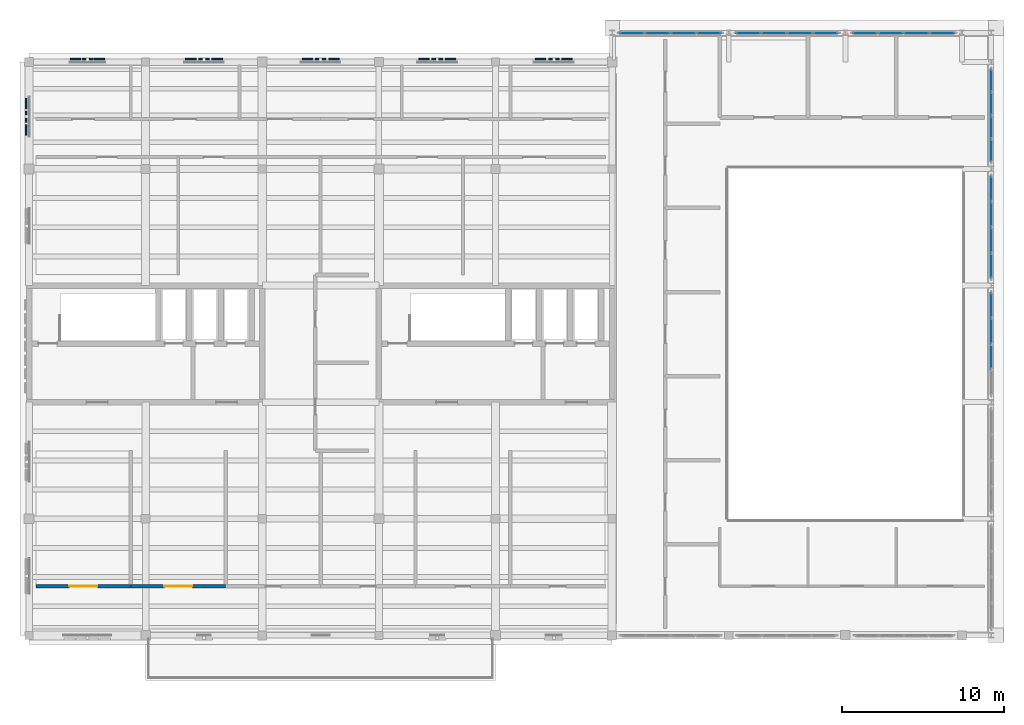
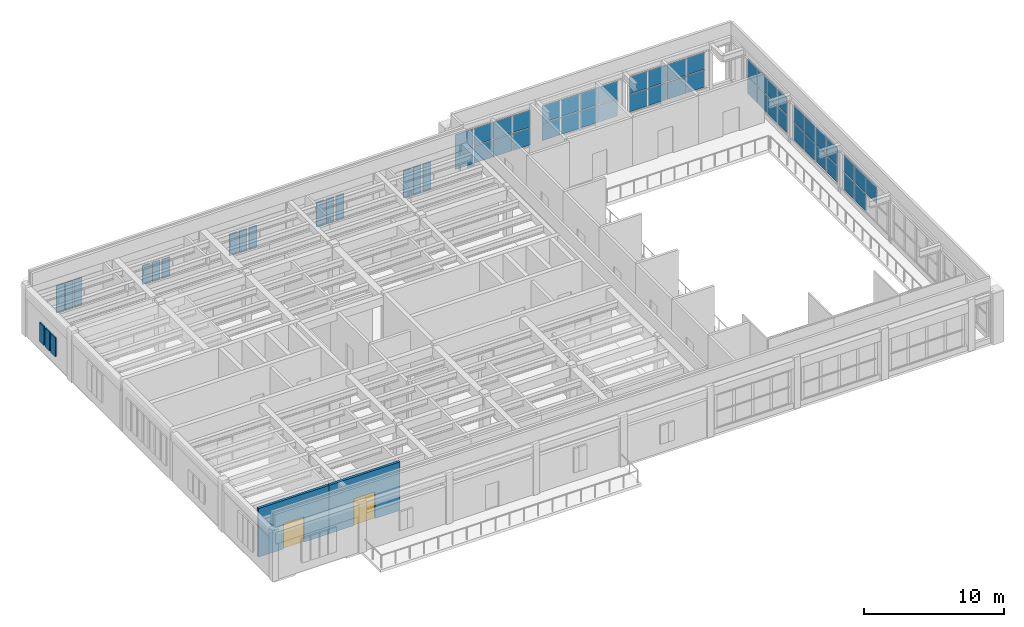
# One storey, part 12 of 18: 63 plates, 2 doors, 2 walls, 2 openings, 6 elements without a shape of their own.
"""IFC4 building model written with IfcOpenShell, lengths in metres."""

from ifc_helpers import new_model, si_unit, direction, frame, frame_2d, origin, origin_2d, place, context, subcontext, project, spatial, rectangle, extrude, material, layer, layer_set, type_object, element, fill, aggregate, save


model = new_model("IFC4")

# Units and contexts
model_context = context("Model", 3, precision=1e-05, world=origin(), true_north=direction((0.0, 1.0)))
body_context = subcontext(model_context, "Body", "Model", "MODEL_VIEW")
ifc_project = project(units=[si_unit("LENGTHUNIT", "METRE"), si_unit("AREAUNIT", "SQUARE_METRE"), si_unit("VOLUMEUNIT", "CUBIC_METRE"), si_unit("PLANEANGLEUNIT", "RADIAN"), si_unit("MASSUNIT", "GRAM", prefix="KILO")], contexts=[model_context])

# Site, building, storey
site_placement = place(None, origin())
site = spatial("IfcSite", under=ifc_project, at=site_placement, CompositionType="ELEMENT")
building_placement = place(site_placement, origin())
building = spatial("IfcBuilding", under=site, at=building_placement, Name="Mithqara Police Headquarters", CompositionType="ELEMENT")
storey_placement = place(building_placement, frame((0.0, 0.0, 30.89990234375)))
storey = spatial("IfcBuildingStorey", under=building, at=storey_placement, Name="L07", CompositionType="ELEMENT", Elevation=30.89990234375)

# Curtain wall, plates
ifc_material_1 = material(Name="Bronze anodised aluminium 6063-T6", Category="aluminium")
curtain_wall_type_1 = type_object("IfcCurtainWallType", Name="CURTAIN WALL 6400X3200", PredefinedType="USERDEFINED", material=ifc_material_1)
curtain_wall_1_placement = place(storey_placement, origin())
curtain_wall_1 = element("IfcCurtainWall", 1, at=curtain_wall_1_placement, inside=storey, type_object=curtain_wall_type_1, Name="L07 Unitised Glazing CW-09 (CW-CUBE-L07-P0-E02-S0-02)", ObjectType="UNITISED GLAZING", PredefinedType="USERDEFINED")
ifc_material_2 = material(Name="Ballistic laminated double low-e glass", Category="glass")
ifc_layer_1 = layer(ifc_material_2, 0.035888671875, Name="Ballistic laminated double low-e glass")
ifc_layer_set_1 = layer_set([ifc_layer_1], Name="Ballistic laminated double low-e glass")
plate_type_1 = type_object("IfcPlateType", Name="CWPANEL GLASS36", PredefinedType="CURTAIN_PANEL", material=ifc_layer_set_1)
plate_1_placement = place(storey_placement, frame((168.0, 95.800048828125, 2.08740234375), z_axis=(0.0, 0.0, 1.0), x_axis=(0.0, 1.0, 0.0)))
plate_1 = element("IfcPlate", 2, at=plate_1_placement, type_object=plate_type_1, Name="CW-09 panel 2.2", PredefinedType="CURTAIN_PANEL", context=body_context, shape_type="SweptSolid", body=[
    extrude(rectangle(XDim=1.52490234375, YDim=0.035888671875, at=origin_2d()), origin(), (0.0, 0.0, 1.0), 1.487548828125),
])
plate_2_placement = place(storey_placement, frame((168.0, 97.39990234375, 0.52490234375), z_axis=(0.0, 0.0, 1.0), x_axis=(0.0, 1.0, 0.0)))
plate_2 = element("IfcPlate", 3, at=plate_2_placement, type_object=plate_type_1, Name="CW-09 panel 3.1", PredefinedType="CURTAIN_PANEL", context=body_context, shape_type="SweptSolid", body=[
    extrude(rectangle(XDim=1.52490234375, YDim=0.035888671875, at=origin_2d()), origin(), (0.0, 0.0, 1.0), 1.487548828125),
])
plate_3_placement = place(storey_placement, frame((168.0, 97.39990234375, 2.08740234375), z_axis=(0.0, 0.0, 1.0), x_axis=(0.0, 1.0, 0.0)))
plate_3 = element("IfcPlate", 4, at=plate_3_placement, type_object=plate_type_1, Name="CW-09 panel 3.2", PredefinedType="CURTAIN_PANEL", context=body_context, shape_type="SweptSolid", body=[
    extrude(rectangle(XDim=1.52490234375, YDim=0.035888671875, at=origin_2d()), origin(), (0.0, 0.0, 1.0), 1.487548828125),
])
plate_4_placement = place(storey_placement, frame((168.0, 98.981201171875, 0.52490234375), z_axis=(0.0, 0.0, 1.0), x_axis=(0.0, 1.0, 0.0)))
plate_4 = element("IfcPlate", 5, at=plate_4_placement, type_object=plate_type_1, Name="CW-09 panel 4.1", PredefinedType="CURTAIN_PANEL", context=body_context, shape_type="SweptSolid", body=[
    extrude(rectangle(XDim=1.487548828125, YDim=0.035888671875, at=origin_2d()), origin(), (0.0, 0.0, 1.0), 1.487548828125),
])
plate_5_placement = place(storey_placement, frame((168.0, 98.981201171875, 2.08740234375), z_axis=(0.0, 0.0, 1.0), x_axis=(0.0, 1.0, 0.0)))
plate_5 = element("IfcPlate", 6, at=plate_5_placement, type_object=plate_type_1, Name="CW-09 panel 4.2", PredefinedType="CURTAIN_PANEL", context=body_context, shape_type="SweptSolid", body=[
    extrude(rectangle(XDim=1.487548828125, YDim=0.035888671875, at=origin_2d()), origin(), (0.0, 0.0, 1.0), 1.487548828125),
])
aggregate(curtain_wall_1, [plate_1, plate_2, plate_3, plate_4, plate_5])

curtain_wall_2_placement = place(storey_placement, origin())
curtain_wall_2 = element("IfcCurtainWall", 7, at=curtain_wall_2_placement, inside=storey, type_object=curtain_wall_type_1, Name="L07 Unitised Glazing CW-09 (CW-CUBE-L07-P0-E02-S0-03)", ObjectType="UNITISED GLAZING", PredefinedType="USERDEFINED")
plate_6_placement = place(storey_placement, frame((168.0, 101.418701171875, 0.52490234375), z_axis=(0.0, 0.0, 1.0), x_axis=(0.0, 1.0, 0.0)))
plate_6 = element("IfcPlate", 8, at=plate_6_placement, type_object=plate_type_1, Name="CW-09 panel 1.1", PredefinedType="CURTAIN_PANEL", context=body_context, shape_type="SweptSolid", body=[
    extrude(rectangle(XDim=1.487548828125, YDim=0.035888671875, at=origin_2d()), origin(), (0.0, 0.0, 1.0), 1.487548828125),
])
plate_7_placement = place(storey_placement, frame((168.0, 101.418701171875, 2.08740234375), z_axis=(0.0, 0.0, 1.0), x_axis=(0.0, 1.0, 0.0)))
plate_7 = element("IfcPlate", 9, at=plate_7_placement, type_object=plate_type_1, Name="CW-09 panel 1.2", PredefinedType="CURTAIN_PANEL", context=body_context, shape_type="SweptSolid", body=[
    extrude(rectangle(XDim=1.487548828125, YDim=0.035888671875, at=origin_2d()), origin(), (0.0, 0.0, 1.0), 1.487548828125),
])
plate_8_placement = place(storey_placement, frame((168.0, 103.0, 0.52490234375), z_axis=(0.0, 0.0, 1.0), x_axis=(0.0, 1.0, 0.0)))
plate_8 = element("IfcPlate", 10, at=plate_8_placement, type_object=plate_type_1, Name="CW-09 panel 2.1", PredefinedType="CURTAIN_PANEL", context=body_context, shape_type="SweptSolid", body=[
    extrude(rectangle(XDim=1.52490234375, YDim=0.035888671875, at=origin_2d()), origin(), (0.0, 0.0, 1.0), 1.487548828125),
])
plate_9_placement = place(storey_placement, frame((168.0, 103.0, 2.08740234375), z_axis=(0.0, 0.0, 1.0), x_axis=(0.0, 1.0, 0.0)))
plate_9 = element("IfcPlate", 11, at=plate_9_placement, type_object=plate_type_1, Name="CW-09 panel 2.2", PredefinedType="CURTAIN_PANEL", context=body_context, shape_type="SweptSolid", body=[
    extrude(rectangle(XDim=1.52490234375, YDim=0.035888671875, at=origin_2d()), origin(), (0.0, 0.0, 1.0), 1.487548828125),
])
plate_10_placement = place(storey_placement, frame((168.0, 104.60009765625, 0.52490234375), z_axis=(0.0, 0.0, 1.0), x_axis=(0.0, 1.0, 0.0)))
plate_10 = element("IfcPlate", 12, at=plate_10_placement, type_object=plate_type_1, Name="CW-09 panel 3.1", PredefinedType="CURTAIN_PANEL", context=body_context, shape_type="SweptSolid", body=[
    extrude(rectangle(XDim=1.52490234375, YDim=0.035888671875, at=origin_2d()), origin(), (0.0, 0.0, 1.0), 1.487548828125),
])
plate_11_placement = place(storey_placement, frame((168.0, 104.60009765625, 2.08740234375), z_axis=(0.0, 0.0, 1.0), x_axis=(0.0, 1.0, 0.0)))
plate_11 = element("IfcPlate", 13, at=plate_11_placement, type_object=plate_type_1, Name="CW-09 panel 3.2", PredefinedType="CURTAIN_PANEL", context=body_context, shape_type="SweptSolid", body=[
    extrude(rectangle(XDim=1.52490234375, YDim=0.035888671875, at=origin_2d()), origin(), (0.0, 0.0, 1.0), 1.487548828125),
])
plate_12_placement = place(storey_placement, frame((168.0, 106.18115234375, 0.52490234375), z_axis=(0.0, 0.0, 1.0), x_axis=(0.0, 1.0, 0.0)))
plate_12 = element("IfcPlate", 14, at=plate_12_placement, type_object=plate_type_1, Name="CW-09 panel 4.1", PredefinedType="CURTAIN_PANEL", context=body_context, shape_type="SweptSolid", body=[
    extrude(rectangle(XDim=1.487548828125, YDim=0.035888671875, at=origin_2d()), origin(), (0.0, 0.0, 1.0), 1.487548828125),
])
plate_13_placement = place(storey_placement, frame((168.0, 106.18115234375, 2.08740234375), z_axis=(0.0, 0.0, 1.0), x_axis=(0.0, 1.0, 0.0)))
plate_13 = element("IfcPlate", 15, at=plate_13_placement, type_object=plate_type_1, Name="CW-09 panel 4.2", PredefinedType="CURTAIN_PANEL", context=body_context, shape_type="SweptSolid", body=[
    extrude(rectangle(XDim=1.487548828125, YDim=0.035888671875, at=origin_2d()), origin(), (0.0, 0.0, 1.0), 1.487548828125),
])
aggregate(curtain_wall_2, [plate_6, plate_7, plate_8, plate_9, plate_10, plate_11, plate_12, plate_13])

curtain_wall_type_2 = type_object("IfcCurtainWallType", Name="CURTAIN WALL 5800X3200", PredefinedType="USERDEFINED", material=ifc_material_1)
curtain_wall_3_placement = place(storey_placement, origin())
curtain_wall_3 = element("IfcCurtainWall", 16, at=curtain_wall_3_placement, inside=storey, type_object=curtain_wall_type_2, Name="L07 Unitised Glazing CW-10 (CW-CUBE-L07-P0-E02-S0-04)", ObjectType="UNITISED GLAZING", PredefinedType="USERDEFINED")
plate_14_placement = place(storey_placement, frame((168.0, 108.543701171875, 0.52490234375), z_axis=(0.0, 0.0, 1.0), x_axis=(0.0, 1.0, 0.0)))
plate_14 = element("IfcPlate", 17, at=plate_14_placement, type_object=plate_type_1, Name="CW-10 panel 1.1", PredefinedType="CURTAIN_PANEL", context=body_context, shape_type="SweptSolid", body=[
    extrude(rectangle(XDim=1.33740234375, YDim=0.035888671875, at=origin_2d()), origin(), (0.0, 0.0, 1.0), 1.487548828125),
])
plate_15_placement = place(storey_placement, frame((168.0, 108.543701171875, 2.08740234375), z_axis=(0.0, 0.0, 1.0), x_axis=(0.0, 1.0, 0.0)))
plate_15 = element("IfcPlate", 18, at=plate_15_placement, type_object=plate_type_1, Name="CW-10 panel 1.2", PredefinedType="CURTAIN_PANEL", context=body_context, shape_type="SweptSolid", body=[
    extrude(rectangle(XDim=1.33740234375, YDim=0.035888671875, at=origin_2d()), origin(), (0.0, 0.0, 1.0), 1.487548828125),
])
plate_16_placement = place(storey_placement, frame((168.0, 109.97509765625, 0.52490234375), z_axis=(0.0, 0.0, 1.0), x_axis=(0.0, 1.0, 0.0)))
plate_16 = element("IfcPlate", 19, at=plate_16_placement, type_object=plate_type_1, Name="CW-10 panel 2.1", PredefinedType="CURTAIN_PANEL", context=body_context, shape_type="SweptSolid", body=[
    extrude(rectangle(XDim=1.375, YDim=0.035888671875, at=origin_2d()), origin(), (0.0, 0.0, 1.0), 1.487548828125),
])
plate_17_placement = place(storey_placement, frame((168.0, 109.97509765625, 2.08740234375), z_axis=(0.0, 0.0, 1.0), x_axis=(0.0, 1.0, 0.0)))
plate_17 = element("IfcPlate", 20, at=plate_17_placement, type_object=plate_type_1, Name="CW-10 panel 2.2", PredefinedType="CURTAIN_PANEL", context=body_context, shape_type="SweptSolid", body=[
    extrude(rectangle(XDim=1.375, YDim=0.035888671875, at=origin_2d()), origin(), (0.0, 0.0, 1.0), 1.487548828125),
])
plate_18_placement = place(storey_placement, frame((168.0, 111.425048828125, 0.52490234375), z_axis=(0.0, 0.0, 1.0), x_axis=(0.0, 1.0, 0.0)))
plate_18 = element("IfcPlate", 21, at=plate_18_placement, type_object=plate_type_1, Name="CW-10 panel 3.1", PredefinedType="CURTAIN_PANEL", context=body_context, shape_type="SweptSolid", body=[
    extrude(rectangle(XDim=1.375, YDim=0.035888671875, at=origin_2d()), origin(), (0.0, 0.0, 1.0), 1.487548828125),
])
plate_19_placement = place(storey_placement, frame((168.0, 111.425048828125, 2.08740234375), z_axis=(0.0, 0.0, 1.0), x_axis=(0.0, 1.0, 0.0)))
plate_19 = element("IfcPlate", 22, at=plate_19_placement, type_object=plate_type_1, Name="CW-10 panel 3.2", PredefinedType="CURTAIN_PANEL", context=body_context, shape_type="SweptSolid", body=[
    extrude(rectangle(XDim=1.375, YDim=0.035888671875, at=origin_2d()), origin(), (0.0, 0.0, 1.0), 1.487548828125),
])
plate_20_placement = place(storey_placement, frame((168.0, 112.856201171875, 0.52490234375), z_axis=(0.0, 0.0, 1.0), x_axis=(0.0, 1.0, 0.0)))
plate_20 = element("IfcPlate", 23, at=plate_20_placement, type_object=plate_type_1, Name="CW-10 panel 4.1", PredefinedType="CURTAIN_PANEL", context=body_context, shape_type="SweptSolid", body=[
    extrude(rectangle(XDim=1.33740234375, YDim=0.035888671875, at=origin_2d()), origin(), (0.0, 0.0, 1.0), 1.487548828125),
])
plate_21_placement = place(storey_placement, frame((168.0, 112.856201171875, 2.08740234375), z_axis=(0.0, 0.0, 1.0), x_axis=(0.0, 1.0, 0.0)))
plate_21 = element("IfcPlate", 24, at=plate_21_placement, type_object=plate_type_1, Name="CW-10 panel 4.2", PredefinedType="CURTAIN_PANEL", context=body_context, shape_type="SweptSolid", body=[
    extrude(rectangle(XDim=1.33740234375, YDim=0.035888671875, at=origin_2d()), origin(), (0.0, 0.0, 1.0), 1.487548828125),
])
aggregate(curtain_wall_3, [plate_14, plate_15, plate_16, plate_17, plate_18, plate_19, plate_20, plate_21])

curtain_wall_4_placement = place(storey_placement, origin())
curtain_wall_4 = element("IfcCurtainWall", 25, at=curtain_wall_4_placement, inside=storey, type_object=curtain_wall_type_1, Name="L07 Unitised Glazing CW-09 (CW-CUBE-L07-P0-E03-S0-00)", ObjectType="UNITISED GLAZING", PredefinedType="USERDEFINED")
plate_22_placement = place(storey_placement, frame((164.981201171875, 115.800048828125, 0.52490234375), z_axis=(0.0, 0.0, 1.0), x_axis=(-1.0, 0.0, 0.0)))
plate_22 = element("IfcPlate", 26, at=plate_22_placement, type_object=plate_type_1, Name="CW-09 panel 1.1", PredefinedType="CURTAIN_PANEL", context=body_context, shape_type="SweptSolid", body=[
    extrude(rectangle(XDim=1.487548828125, YDim=0.035888671875, at=origin_2d()), origin(), (0.0, 0.0, 1.0), 1.487548828125),
])
plate_23_placement = place(storey_placement, frame((164.981201171875, 115.800048828125, 2.08740234375), z_axis=(0.0, 0.0, 1.0), x_axis=(-1.0, 0.0, 0.0)))
plate_23 = element("IfcPlate", 27, at=plate_23_placement, type_object=plate_type_1, Name="CW-09 panel 1.2", PredefinedType="CURTAIN_PANEL", context=body_context, shape_type="SweptSolid", body=[
    extrude(rectangle(XDim=1.487548828125, YDim=0.035888671875, at=origin_2d()), origin(), (0.0, 0.0, 1.0), 1.487548828125),
])
plate_24_placement = place(storey_placement, frame((163.39990234375, 115.800048828125, 0.52490234375), z_axis=(0.0, 0.0, 1.0), x_axis=(-1.0, 0.0, 0.0)))
plate_24 = element("IfcPlate", 28, at=plate_24_placement, type_object=plate_type_1, Name="CW-09 panel 2.1", PredefinedType="CURTAIN_PANEL", context=body_context, shape_type="SweptSolid", body=[
    extrude(rectangle(XDim=1.52490234375, YDim=0.035888671875, at=origin_2d()), origin(), (0.0, 0.0, 1.0), 1.487548828125),
])
plate_25_placement = place(storey_placement, frame((163.39990234375, 115.800048828125, 2.08740234375), z_axis=(0.0, 0.0, 1.0), x_axis=(-1.0, 0.0, 0.0)))
plate_25 = element("IfcPlate", 29, at=plate_25_placement, type_object=plate_type_1, Name="CW-09 panel 2.2", PredefinedType="CURTAIN_PANEL", context=body_context, shape_type="SweptSolid", body=[
    extrude(rectangle(XDim=1.52490234375, YDim=0.035888671875, at=origin_2d()), origin(), (0.0, 0.0, 1.0), 1.487548828125),
])
plate_26_placement = place(storey_placement, frame((161.800048828125, 115.800048828125, 0.52490234375), z_axis=(0.0, 0.0, 1.0), x_axis=(-1.0, 0.0, 0.0)))
plate_26 = element("IfcPlate", 30, at=plate_26_placement, type_object=plate_type_1, Name="CW-09 panel 3.1", PredefinedType="CURTAIN_PANEL", context=body_context, shape_type="SweptSolid", body=[
    extrude(rectangle(XDim=1.52490234375, YDim=0.035888671875, at=origin_2d()), origin(), (0.0, 0.0, 1.0), 1.487548828125),
])
plate_27_placement = place(storey_placement, frame((161.800048828125, 115.800048828125, 2.08740234375), z_axis=(0.0, 0.0, 1.0), x_axis=(-1.0, 0.0, 0.0)))
plate_27 = element("IfcPlate", 31, at=plate_27_placement, type_object=plate_type_1, Name="CW-09 panel 3.2", PredefinedType="CURTAIN_PANEL", context=body_context, shape_type="SweptSolid", body=[
    extrude(rectangle(XDim=1.52490234375, YDim=0.035888671875, at=origin_2d()), origin(), (0.0, 0.0, 1.0), 1.487548828125),
])
plate_28_placement = place(storey_placement, frame((160.21875, 115.800048828125, 0.52490234375), z_axis=(0.0, 0.0, 1.0), x_axis=(-1.0, 0.0, 0.0)))
plate_28 = element("IfcPlate", 32, at=plate_28_placement, type_object=plate_type_1, Name="CW-09 panel 4.1", PredefinedType="CURTAIN_PANEL", context=body_context, shape_type="SweptSolid", body=[
    extrude(rectangle(XDim=1.487548828125, YDim=0.035888671875, at=origin_2d()), origin(), (0.0, 0.0, 1.0), 1.487548828125),
])
plate_29_placement = place(storey_placement, frame((160.21875, 115.800048828125, 2.08740234375), z_axis=(0.0, 0.0, 1.0), x_axis=(-1.0, 0.0, 0.0)))
plate_29 = element("IfcPlate", 33, at=plate_29_placement, type_object=plate_type_1, Name="CW-09 panel 4.2", PredefinedType="CURTAIN_PANEL", context=body_context, shape_type="SweptSolid", body=[
    extrude(rectangle(XDim=1.487548828125, YDim=0.035888671875, at=origin_2d()), origin(), (0.0, 0.0, 1.0), 1.487548828125),
])
aggregate(curtain_wall_4, [plate_22, plate_23, plate_24, plate_25, plate_26, plate_27, plate_28, plate_29])

curtain_wall_5_placement = place(storey_placement, origin())
curtain_wall_5 = element("IfcCurtainWall", 34, at=curtain_wall_5_placement, inside=storey, type_object=curtain_wall_type_1, Name="L07 Unitised Glazing CW-09 (CW-CUBE-L07-P0-E03-S0-01)", ObjectType="UNITISED GLAZING", PredefinedType="USERDEFINED")
plate_30_placement = place(storey_placement, frame((157.78125, 115.800048828125, 0.52490234375), z_axis=(0.0, 0.0, 1.0), x_axis=(-1.0, 0.0, 0.0)))
plate_30 = element("IfcPlate", 35, at=plate_30_placement, type_object=plate_type_1, Name="CW-09 panel 1.1", PredefinedType="CURTAIN_PANEL", context=body_context, shape_type="SweptSolid", body=[
    extrude(rectangle(XDim=1.487548828125, YDim=0.035888671875, at=origin_2d()), origin(), (0.0, 0.0, 1.0), 1.487548828125),
])
plate_31_placement = place(storey_placement, frame((157.78125, 115.800048828125, 2.08740234375), z_axis=(0.0, 0.0, 1.0), x_axis=(-1.0, 0.0, 0.0)))
plate_31 = element("IfcPlate", 36, at=plate_31_placement, type_object=plate_type_1, Name="CW-09 panel 1.2", PredefinedType="CURTAIN_PANEL", context=body_context, shape_type="SweptSolid", body=[
    extrude(rectangle(XDim=1.487548828125, YDim=0.035888671875, at=origin_2d()), origin(), (0.0, 0.0, 1.0), 1.487548828125),
])
plate_32_placement = place(storey_placement, frame((156.199951171875, 115.800048828125, 0.52490234375), z_axis=(0.0, 0.0, 1.0), x_axis=(-1.0, 0.0, 0.0)))
plate_32 = element("IfcPlate", 37, at=plate_32_placement, type_object=plate_type_1, Name="CW-09 panel 2.1", PredefinedType="CURTAIN_PANEL", context=body_context, shape_type="SweptSolid", body=[
    extrude(rectangle(XDim=1.52490234375, YDim=0.035888671875, at=origin_2d()), origin(), (0.0, 0.0, 1.0), 1.487548828125),
])
plate_33_placement = place(storey_placement, frame((156.199951171875, 115.800048828125, 2.08740234375), z_axis=(0.0, 0.0, 1.0), x_axis=(-1.0, 0.0, 0.0)))
plate_33 = element("IfcPlate", 38, at=plate_33_placement, type_object=plate_type_1, Name="CW-09 panel 2.2", PredefinedType="CURTAIN_PANEL", context=body_context, shape_type="SweptSolid", body=[
    extrude(rectangle(XDim=1.52490234375, YDim=0.035888671875, at=origin_2d()), origin(), (0.0, 0.0, 1.0), 1.487548828125),
])
plate_34_placement = place(storey_placement, frame((154.60009765625, 115.800048828125, 0.52490234375), z_axis=(0.0, 0.0, 1.0), x_axis=(-1.0, 0.0, 0.0)))
plate_34 = element("IfcPlate", 39, at=plate_34_placement, type_object=plate_type_1, Name="CW-09 panel 3.1", PredefinedType="CURTAIN_PANEL", context=body_context, shape_type="SweptSolid", body=[
    extrude(rectangle(XDim=1.52490234375, YDim=0.035888671875, at=origin_2d()), origin(), (0.0, 0.0, 1.0), 1.487548828125),
])
plate_35_placement = place(storey_placement, frame((154.60009765625, 115.800048828125, 2.08740234375), z_axis=(0.0, 0.0, 1.0), x_axis=(-1.0, 0.0, 0.0)))
plate_35 = element("IfcPlate", 40, at=plate_35_placement, type_object=plate_type_1, Name="CW-09 panel 3.2", PredefinedType="CURTAIN_PANEL", context=body_context, shape_type="SweptSolid", body=[
    extrude(rectangle(XDim=1.52490234375, YDim=0.035888671875, at=origin_2d()), origin(), (0.0, 0.0, 1.0), 1.487548828125),
])
plate_36_placement = place(storey_placement, frame((153.018798828125, 115.800048828125, 0.52490234375), z_axis=(0.0, 0.0, 1.0), x_axis=(-1.0, 0.0, 0.0)))
plate_36 = element("IfcPlate", 41, at=plate_36_placement, type_object=plate_type_1, Name="CW-09 panel 4.1", PredefinedType="CURTAIN_PANEL", context=body_context, shape_type="SweptSolid", body=[
    extrude(rectangle(XDim=1.487548828125, YDim=0.035888671875, at=origin_2d()), origin(), (0.0, 0.0, 1.0), 1.487548828125),
])
plate_37_placement = place(storey_placement, frame((153.018798828125, 115.800048828125, 2.08740234375), z_axis=(0.0, 0.0, 1.0), x_axis=(-1.0, 0.0, 0.0)))
plate_37 = element("IfcPlate", 42, at=plate_37_placement, type_object=plate_type_1, Name="CW-09 panel 4.2", PredefinedType="CURTAIN_PANEL", context=body_context, shape_type="SweptSolid", body=[
    extrude(rectangle(XDim=1.487548828125, YDim=0.035888671875, at=origin_2d()), origin(), (0.0, 0.0, 1.0), 1.487548828125),
])
aggregate(curtain_wall_5, [plate_30, plate_31, plate_32, plate_33, plate_34, plate_35, plate_36, plate_37])

curtain_wall_6_placement = place(storey_placement, origin())
curtain_wall_6 = element("IfcCurtainWall", 43, at=curtain_wall_6_placement, inside=storey, type_object=curtain_wall_type_1, Name="L07 Unitised Glazing CW-09 (CW-CUBE-L07-P0-E03-S0-02)", ObjectType="UNITISED GLAZING", PredefinedType="USERDEFINED")
plate_38_placement = place(storey_placement, frame((150.581298828125, 115.800048828125, 0.52490234375), z_axis=(0.0, 0.0, 1.0), x_axis=(-1.0, 0.0, 0.0)))
plate_38 = element("IfcPlate", 44, at=plate_38_placement, type_object=plate_type_1, Name="CW-09 panel 1.1", PredefinedType="CURTAIN_PANEL", context=body_context, shape_type="SweptSolid", body=[
    extrude(rectangle(XDim=1.487548828125, YDim=0.035888671875, at=origin_2d()), origin(), (0.0, 0.0, 1.0), 1.487548828125),
])
plate_39_placement = place(storey_placement, frame((150.581298828125, 115.800048828125, 2.08740234375), z_axis=(0.0, 0.0, 1.0), x_axis=(-1.0, 0.0, 0.0)))
plate_39 = element("IfcPlate", 45, at=plate_39_placement, type_object=plate_type_1, Name="CW-09 panel 1.2", PredefinedType="CURTAIN_PANEL", context=body_context, shape_type="SweptSolid", body=[
    extrude(rectangle(XDim=1.487548828125, YDim=0.035888671875, at=origin_2d()), origin(), (0.0, 0.0, 1.0), 1.487548828125),
])
plate_40_placement = place(storey_placement, frame((149.0, 115.800048828125, 0.52490234375), z_axis=(0.0, 0.0, 1.0), x_axis=(-1.0, 0.0, 0.0)))
plate_40 = element("IfcPlate", 46, at=plate_40_placement, type_object=plate_type_1, Name="CW-09 panel 2.1", PredefinedType="CURTAIN_PANEL", context=body_context, shape_type="SweptSolid", body=[
    extrude(rectangle(XDim=1.52490234375, YDim=0.035888671875, at=origin_2d()), origin(), (0.0, 0.0, 1.0), 1.487548828125),
])
plate_41_placement = place(storey_placement, frame((149.0, 115.800048828125, 2.08740234375), z_axis=(0.0, 0.0, 1.0), x_axis=(-1.0, 0.0, 0.0)))
plate_41 = element("IfcPlate", 47, at=plate_41_placement, type_object=plate_type_1, Name="CW-09 panel 2.2", PredefinedType="CURTAIN_PANEL", context=body_context, shape_type="SweptSolid", body=[
    extrude(rectangle(XDim=1.52490234375, YDim=0.035888671875, at=origin_2d()), origin(), (0.0, 0.0, 1.0), 1.487548828125),
])
plate_42_placement = place(storey_placement, frame((147.39990234375, 115.800048828125, 0.52490234375), z_axis=(0.0, 0.0, 1.0), x_axis=(-1.0, 0.0, 0.0)))
plate_42 = element("IfcPlate", 48, at=plate_42_placement, type_object=plate_type_1, Name="CW-09 panel 3.1", PredefinedType="CURTAIN_PANEL", context=body_context, shape_type="SweptSolid", body=[
    extrude(rectangle(XDim=1.52490234375, YDim=0.035888671875, at=origin_2d()), origin(), (0.0, 0.0, 1.0), 1.487548828125),
])
plate_43_placement = place(storey_placement, frame((147.39990234375, 115.800048828125, 2.08740234375), z_axis=(0.0, 0.0, 1.0), x_axis=(-1.0, 0.0, 0.0)))
plate_43 = element("IfcPlate", 49, at=plate_43_placement, type_object=plate_type_1, Name="CW-09 panel 3.2", PredefinedType="CURTAIN_PANEL", context=body_context, shape_type="SweptSolid", body=[
    extrude(rectangle(XDim=1.52490234375, YDim=0.035888671875, at=origin_2d()), origin(), (0.0, 0.0, 1.0), 1.487548828125),
])
plate_44_placement = place(storey_placement, frame((145.81884765625, 115.800048828125, 0.52490234375), z_axis=(0.0, 0.0, 1.0), x_axis=(-1.0, 0.0, 0.0)))
plate_44 = element("IfcPlate", 50, at=plate_44_placement, type_object=plate_type_1, Name="CW-09 panel 4.1", PredefinedType="CURTAIN_PANEL", context=body_context, shape_type="SweptSolid", body=[
    extrude(rectangle(XDim=1.487548828125, YDim=0.035888671875, at=origin_2d()), origin(), (0.0, 0.0, 1.0), 1.487548828125),
])
plate_45_placement = place(storey_placement, frame((145.81884765625, 115.800048828125, 2.08740234375), z_axis=(0.0, 0.0, 1.0), x_axis=(-1.0, 0.0, 0.0)))
plate_45 = element("IfcPlate", 51, at=plate_45_placement, type_object=plate_type_1, Name="CW-09 panel 4.2", PredefinedType="CURTAIN_PANEL", context=body_context, shape_type="SweptSolid", body=[
    extrude(rectangle(XDim=1.487548828125, YDim=0.035888671875, at=origin_2d()), origin(), (0.0, 0.0, 1.0), 1.487548828125),
])
aggregate(curtain_wall_6, [plate_38, plate_39, plate_40, plate_41, plate_42, plate_43, plate_44, plate_45])

# Plates
ifc_material_3 = material(Name="Limestone ashlar masonry, 45 MPa", Category="masonry")
ifc_layer_2 = layer(ifc_material_3, 0.10009765625, Name="Limestone ashlar masonry, 45 MPa")
ifc_layer_set_2 = layer_set([ifc_layer_2], Name="Limestone ashlar masonry, 45 MPa")
plate_type_2 = type_object("IfcPlateType", Name="STONE SCREEN 100", PredefinedType="USERDEFINED", material=ifc_layer_set_2)
for number, where, z_axis, x_axis, name in (
    (52, (108.39990234375, 111.441650390625, 0.830078125), (0.0, 0.0, 1.0), (0.0, 1.0, 0.0), "L07 Pierced Limestone Vertical-Slit Panel 314"),
    (53, (108.39990234375, 110.625, 0.830078125), (0.0, 0.0, 1.0), (0.0, 1.0, 0.0), "L07 Pierced Limestone Vertical-Slit Panel 315"),
    (54, (108.39990234375, 109.808349609375, 0.830078125), (0.0, 0.0, 1.0), (0.0, 1.0, 0.0), "L07 Pierced Limestone Vertical-Slit Panel 316"),
):
    element("IfcPlate", number, at=place(storey_placement, frame(where, z_axis=z_axis, x_axis=x_axis)), inside=storey, type_object=plate_type_2, Name=name, ObjectType="STONE SCREEN", PredefinedType="USERDEFINED", context=body_context, shape_type="SweptSolid", body=[
        extrude(rectangle(XDim=0.656005859375, YDim=0.10009765625, at=origin_2d()), origin(), (0.0, 0.0, 1.0), 1.639892578125),
    ])
ifc_layer_3 = layer(ifc_material_3, 0.080078125, Name="Limestone ashlar masonry, 45 MPa")
ifc_layer_set_3 = layer_set([ifc_layer_3], Name="Limestone ashlar masonry, 45 MPa")
plate_type_3 = type_object("IfcPlateType", Name="STONE SCREEN 80", PredefinedType="USERDEFINED", material=ifc_layer_set_3)
for number, where, z_axis, x_axis, name in (
    (55, (112.933349609375, 114.18994140625, 0.830078125), (0.0, 0.0, 1.0), (1.0, 0.0, 0.0), "L07 Pierced Limestone Vertical-Slit Panel 296"),
    (56, (112.199951171875, 114.18994140625, 0.830078125), (0.0, 0.0, 1.0), (1.0, 0.0, 0.0), "L07 Pierced Limestone Vertical-Slit Panel 297"),
    (57, (111.466796875, 114.18994140625, 0.830078125), (0.0, 0.0, 1.0), (1.0, 0.0, 0.0), "L07 Pierced Limestone Vertical-Slit Panel 298"),
):
    element("IfcPlate", number, at=place(storey_placement, frame(where, z_axis=z_axis, x_axis=x_axis)), inside=storey, type_object=plate_type_3, Name=name, ObjectType="STONE SCREEN", PredefinedType="USERDEFINED", context=body_context, shape_type="SweptSolid", body=[
        extrude(rectangle(XDim=0.656005859375, YDim=0.080078125, at=origin_2d()), origin(), (0.0, 0.0, 1.0), 2.389892578125),
    ])
for number, where, z_axis, x_axis, name in (
    (58, (120.216796875, 114.18994140625, 0.830078125), (0.0, 0.0, 1.0), (1.0, 0.0, 0.0), "L07 Pierced Limestone Vertical-Slit Panel 299"),
    (59, (119.39990234375, 114.18994140625, 0.830078125), (0.0, 0.0, 1.0), (1.0, 0.0, 0.0), "L07 Pierced Limestone Vertical-Slit Panel 300"),
    (60, (118.583251953125, 114.18994140625, 0.830078125), (0.0, 0.0, 1.0), (1.0, 0.0, 0.0), "L07 Pierced Limestone Vertical-Slit Panel 301"),
):
    element("IfcPlate", number, at=place(storey_placement, frame(where, z_axis=z_axis, x_axis=x_axis)), inside=storey, type_object=plate_type_3, Name=name, ObjectType="STONE SCREEN", PredefinedType="USERDEFINED", context=body_context, shape_type="SweptSolid", body=[
        extrude(rectangle(XDim=0.656005859375, YDim=0.080078125, at=origin_2d()), origin(), (0.0, 0.0, 1.0), 1.639892578125),
    ])
for number, where, z_axis, x_axis, name in (
    (61, (127.416748046875, 114.18994140625, 0.830078125), (0.0, 0.0, 1.0), (1.0, 0.0, 0.0), "L07 Pierced Limestone Vertical-Slit Panel 302"),
    (62, (126.60009765625, 114.18994140625, 0.830078125), (0.0, 0.0, 1.0), (1.0, 0.0, 0.0), "L07 Pierced Limestone Vertical-Slit Panel 303"),
    (63, (125.783203125, 114.18994140625, 0.830078125), (0.0, 0.0, 1.0), (1.0, 0.0, 0.0), "L07 Pierced Limestone Vertical-Slit Panel 304"),
):
    element("IfcPlate", number, at=place(storey_placement, frame(where, z_axis=z_axis, x_axis=x_axis)), inside=storey, type_object=plate_type_3, Name=name, ObjectType="STONE SCREEN", PredefinedType="USERDEFINED", context=body_context, shape_type="SweptSolid", body=[
        extrude(rectangle(XDim=0.656005859375, YDim=0.080078125, at=origin_2d()), origin(), (0.0, 0.0, 1.0), 1.889892578125),
    ])
for number, where, z_axis, x_axis, name in (
    (64, (134.61669921875, 114.18994140625, 0.830078125), (0.0, 0.0, 1.0), (1.0, 0.0, 0.0), "L07 Pierced Limestone Vertical-Slit Panel 305"),
    (65, (133.800048828125, 114.18994140625, 0.830078125), (0.0, 0.0, 1.0), (1.0, 0.0, 0.0), "L07 Pierced Limestone Vertical-Slit Panel 306"),
    (66, (132.9833984375, 114.18994140625, 0.830078125), (0.0, 0.0, 1.0), (1.0, 0.0, 0.0), "L07 Pierced Limestone Vertical-Slit Panel 307"),
):
    element("IfcPlate", number, at=place(storey_placement, frame(where, z_axis=z_axis, x_axis=x_axis)), inside=storey, type_object=plate_type_3, Name=name, ObjectType="STONE SCREEN", PredefinedType="USERDEFINED", context=body_context, shape_type="SweptSolid", body=[
        extrude(rectangle(XDim=0.656005859375, YDim=0.080078125, at=origin_2d()), origin(), (0.0, 0.0, 1.0), 2.139892578125),
    ])
for number, where, z_axis, x_axis, name in (
    (67, (141.816650390625, 114.18994140625, 0.830078125), (0.0, 0.0, 1.0), (1.0, 0.0, 0.0), "L07 Pierced Limestone Vertical-Slit Panel 308"),
    (68, (141.0, 114.18994140625, 0.830078125), (0.0, 0.0, 1.0), (1.0, 0.0, 0.0), "L07 Pierced Limestone Vertical-Slit Panel 309"),
    (69, (140.183349609375, 114.18994140625, 0.830078125), (0.0, 0.0, 1.0), (1.0, 0.0, 0.0), "L07 Pierced Limestone Vertical-Slit Panel 310"),
):
    element("IfcPlate", number, at=place(storey_placement, frame(where, z_axis=z_axis, x_axis=x_axis)), inside=storey, type_object=plate_type_3, Name=name, ObjectType="STONE SCREEN", PredefinedType="USERDEFINED", context=body_context, shape_type="SweptSolid", body=[
        extrude(rectangle(XDim=0.656005859375, YDim=0.080078125, at=origin_2d()), origin(), (0.0, 0.0, 1.0), 2.389892578125),
    ])

# Wall, opening, door
ifc_material_4 = material(Name="Concrete C40/50", Category="concrete")
ifc_layer_4 = layer(ifc_material_4, 0.2099609375, Name="Concrete C40/50")
ifc_layer_set_4 = layer_set([ifc_layer_4], Name="Concrete C40/50")
wall_type = type_object("IfcWallType", Name="PART WALL 210", PredefinedType="PARTITIONING", material=ifc_layer_set_4)
wall_1_placement = place(storey_placement, frame((109.02001953125, 81.639892578125, 0.0), z_axis=(0.0, 0.0, 1.0), x_axis=(1.0, 0.0, 0.0)))
wall_1 = element("IfcWall", 70, at=wall_1_placement, inside=storey, type_object=wall_type, Name="L07 Corridor Wall Interagency Situation Room", PredefinedType="PARTITIONING", context=body_context, shape_type="SweptSolid", body=[
    extrude(rectangle(XDim=5.85986328125, YDim=0.2099609375, at=frame_2d((2.929931640625, 0.0))), origin(), (0.0, 0.0, 1.0), 4.25),
])
opening_1_placement = place(wall_1_placement, frame((2.070068359375, 0.0, 0.0)))
opening_1 = element("IfcOpeningElement", 71, at=opening_1_placement, cuts=wall_1, Name="Opening D-23", PredefinedType="OPENING", context=body_context, shape_type="SweptSolid", body=[
    extrude(rectangle(XDim=1.719970703125, YDim=2.219970703125, at=frame_2d((0.85986328125, 1.10986328125))), frame((0.0, 0.114990234375, 0.0), z_axis=(0.0, -1.0, 0.0), x_axis=(1.0, 0.0, 0.0)), (0.0, 0.0, 1.0), 0.22998046875),
])
door_type_1 = type_object("IfcDoorType", Name="INT DOOR 1720X2220", OperationType="NOTDEFINED", PredefinedType="DOOR", material=ifc_material_1)
door_1_placement = place(opening_1_placement, origin())
door_1 = element("IfcDoor", 72, at=door_1_placement, inside=storey, type_object=door_type_1, Name="Interagency Situation Room Entry Door", OperationType="DOUBLE_DOOR_SINGLE_SWING", OverallHeight=2.219970703125, OverallWidth=1.719970703125, PredefinedType="DOOR", context=body_context, shape_type="SweptSolid", body=[
    extrude(rectangle(XDim=1.719970703125, YDim=2.219970703125, at=frame_2d((0.85986328125, 1.10986328125))), frame((0.0, 0.02490234375, 0.0), z_axis=(0.0, -1.0, 0.0), x_axis=(1.0, 0.0, 0.0)), (0.0, 0.0, 1.0), 0.050048828125),
])
fill(opening_1, door_1)

wall_2_placement = place(storey_placement, frame((114.8798828125, 81.639892578125, 0.0), z_axis=(0.0, 0.0, 1.0), x_axis=(1.0, 0.0, 0.0)))
wall_2 = element("IfcWall", 73, at=wall_2_placement, inside=storey, type_object=wall_type, Name="L07 Corridor Wall Secure Satellite Communications Room", PredefinedType="PARTITIONING", context=body_context, shape_type="SweptSolid", body=[
    extrude(rectangle(XDim=5.860107421875, YDim=0.2099609375, at=frame_2d((2.93017578125, 0.0))), origin(), (0.0, 0.0, 1.0), 4.25),
])
opening_2_placement = place(wall_2_placement, frame((2.070068359375, 0.0, 0.0)))
opening_2 = element("IfcOpeningElement", 74, at=opening_2_placement, cuts=wall_2, Name="Opening D-24", PredefinedType="OPENING", context=body_context, shape_type="SweptSolid", body=[
    extrude(rectangle(XDim=1.719970703125, YDim=2.35009765625, at=frame_2d((0.85986328125, 1.175048828125))), frame((0.0, 0.114990234375, 0.0), z_axis=(0.0, -1.0, 0.0), x_axis=(1.0, 0.0, 0.0)), (0.0, 0.0, 1.0), 0.22998046875),
])
door_type_2 = type_object("IfcDoorType", Name="INT DOOR 1720X2350", OperationType="NOTDEFINED", PredefinedType="DOOR", material=ifc_material_1)
door_2_placement = place(opening_2_placement, origin())
door_2 = element("IfcDoor", 75, at=door_2_placement, inside=storey, type_object=door_type_2, Name="Secure Satellite Communications Room Entry Door", OperationType="DOUBLE_DOOR_SINGLE_SWING", OverallHeight=2.35009765625, OverallWidth=1.719970703125, PredefinedType="DOOR", context=body_context, shape_type="SweptSolid", body=[
    extrude(rectangle(XDim=1.719970703125, YDim=2.35009765625, at=frame_2d((0.85986328125, 1.175048828125))), frame((0.0, 0.02490234375, 0.0), z_axis=(0.0, -1.0, 0.0), x_axis=(1.0, 0.0, 0.0)), (0.0, 0.0, 1.0), 0.050048828125),
])
fill(opening_2, door_2)

save(model, "model.ifc")
